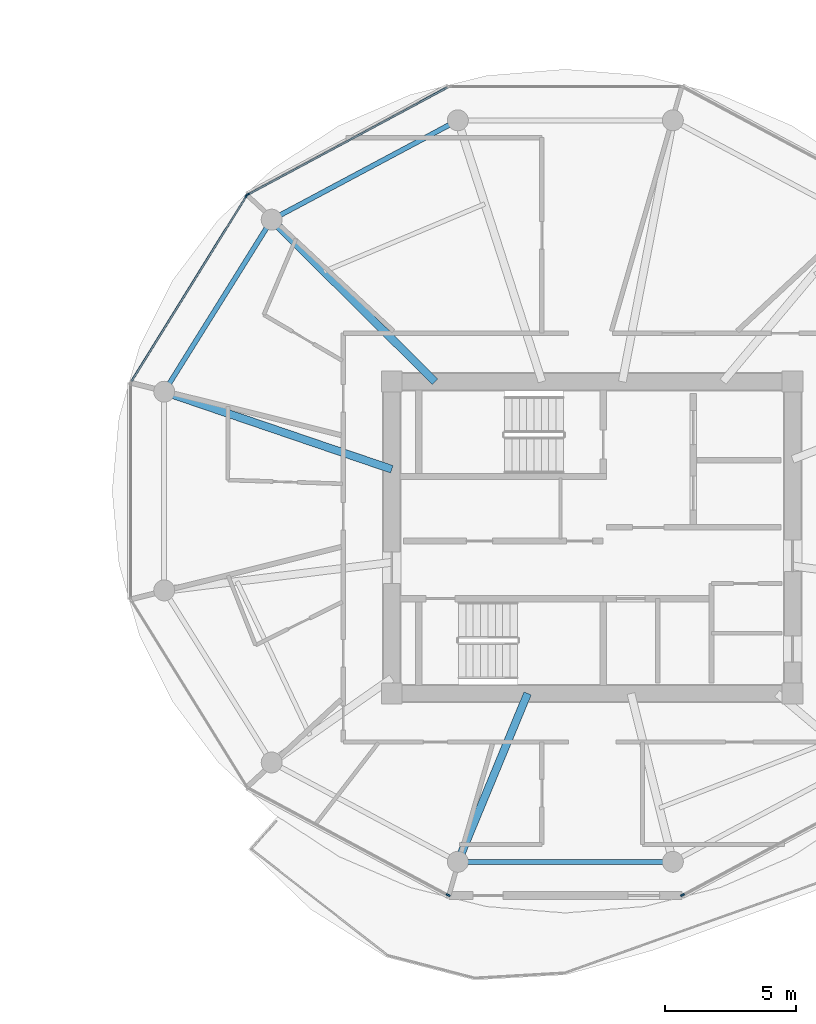
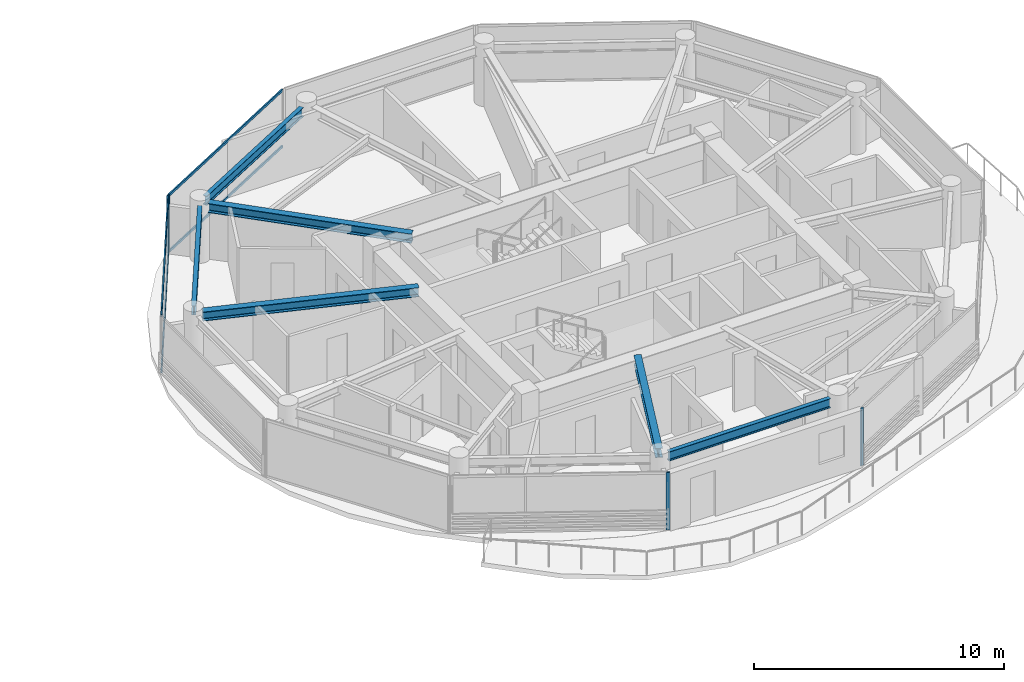
# One storey, part 8 of 22: 8 members, 6 beams, 4 elements without a shape of their own.
"""IFC4 building model written with IfcOpenShell, lengths in metres."""

from ifc_helpers import new_model, si_unit, direction, frame, origin, origin_2d, place, context, subcontext, project, spatial, rectangle, i_section, extrude, source, transform, mapped, material, layer, layer_set, material_profile, profile_set, type_object, type_shapes, element, aggregate, save


model = new_model("IFC4")

# Units and contexts
model_context = context("Model", 3, precision=1e-05, world=origin(), true_north=direction((0.0, 1.0)))
body_context = subcontext(model_context, "Body", "Model", "MODEL_VIEW")
ifc_project = project(units=[si_unit("LENGTHUNIT", "METRE"), si_unit("AREAUNIT", "SQUARE_METRE"), si_unit("VOLUMEUNIT", "CUBIC_METRE"), si_unit("PLANEANGLEUNIT", "RADIAN"), si_unit("MASSUNIT", "GRAM", prefix="KILO")], contexts=[model_context])

# Site, building, storey
site_placement = place(None, origin())
site = spatial("IfcSite", under=ifc_project, at=site_placement, CompositionType="ELEMENT")
building_placement = place(site_placement, origin())
building = spatial("IfcBuilding", under=site, at=building_placement, Name="Norrkilde Senior Care Towers", CompositionType="ELEMENT")
storey_placement = place(building_placement, frame((0.0, 0.0, 152.60009765625)))
storey = spatial("IfcBuildingStorey", under=building, at=storey_placement, Name="L47", CompositionType="ELEMENT", Elevation=152.60009765625)

# Beams
ifc_material_1 = material(Name="Steel S355", Category="steel")
ifc_material_profile_1 = material_profile(ifc_material_1, i_section(OverallWidth=0.18994140625, OverallDepth=0.449951171875, WebThickness=0.009521484375, FlangeThickness=0.0146484375, FilletRadius=0.02099609375, at=origin_2d()), Name="IPE 450")
ifc_profile_set_1 = profile_set([ifc_material_profile_1], Name="Steel S355")
beam_type_1 = type_object("IfcBeamType", Name="Perimeter Ring Spandrel Z3 IPE450", PredefinedType="SPANDREL", material=ifc_profile_set_1)
shared_shape_1 = source(origin(), body_context, "Body", "SweptSolid", [
    extrude(i_section(OverallWidth=0.18994140625, OverallDepth=0.449951171875, WebThickness=0.009521484375, FlangeThickness=0.0146484375, FilletRadius=0.02099609375, at=origin_2d()), origin(), (0.0, 0.0, 1.0), 7.0234375),
])
beam_1_placement = place(storey_placement, frame((15.57666015625, 11.8291015625, 2.5849609375), z_axis=(-0.529789577822, -0.848129119433, 0.0), x_axis=(0.848129119433, -0.529789577822, 0.0)))
element("IfcBeam", 1, at=beam_1_placement, inside=storey, type_object=beam_type_1, Name="L47 Drum E Perimeter Spandrel 05", PredefinedType="SPANDREL", context=body_context, shape_type="MappedRepresentation", body=[
    mapped(shared_shape_1, transform((0.0, 0.0, 0.0), x_axis=(1.0, 0.0, 0.0), y_axis=(0.0, 1.0, 0.0), z_axis=(0.0, 0.0, 1.0), scale=1.0)),
])
ifc_material_profile_2 = material_profile(ifc_material_1, i_section(OverallWidth=0.300048828125, OverallDepth=0.449951171875, WebThickness=0.013916015625, FlangeThickness=0.02587890625, FilletRadius=0.027099609375, at=origin_2d()), Name="HEB 450")
ifc_profile_set_2 = profile_set([ifc_material_profile_2], Name="Steel S355")
beam_type_2 = type_object("IfcBeamType", Name="Radial Floor Beam Z3 HEB450", PredefinedType="BEAM", material=ifc_profile_set_2)
shared_shape_2 = source(origin(), body_context, "Body", "SweptSolid", [
    extrude(i_section(OverallWidth=0.300048828125, OverallDepth=0.449951171875, WebThickness=0.013916015625, FlangeThickness=0.02587890625, FilletRadius=0.027099609375, at=origin_2d()), origin(), (0.0, 0.0, 1.0), 8.8154296875),
])
beam_2_placement = place(storey_placement, frame((20.35009765625, 2.607177734375, 2.5849609375), z_axis=(-0.946540556878, 0.322584832539, 0.0), x_axis=(-0.322584832539, -0.946540556878, 0.0)))
element("IfcBeam", 2, at=beam_2_placement, inside=storey, type_object=beam_type_2, Name="L47 Drum E Radial Floor Beam 06", PredefinedType="BEAM", context=body_context, shape_type="MappedRepresentation", body=[
    mapped(shared_shape_2, transform((0.0, 0.0, 0.0), x_axis=(1.0, 0.0, 0.0), y_axis=(0.0, 1.0, 0.0), z_axis=(0.0, 0.0, 1.0), scale=1.0)),
])
shared_shape_3 = source(origin(), body_context, "Body", "SweptSolid", [
    extrude(i_section(OverallWidth=0.18994140625, OverallDepth=0.449951171875, WebThickness=0.009521484375, FlangeThickness=0.0146484375, FilletRadius=0.02099609375, at=origin_2d()), origin(), (0.0, 0.0, 1.0), 7.333740234375),
])
beam_3_placement = place(storey_placement, frame((22.55517578125, 15.756591796875, 2.5849609375), z_axis=(-0.882247866069, -0.470785198172, 0.0), x_axis=(0.470785198172, -0.882247866069, 0.0)))
element("IfcBeam", 3, at=beam_3_placement, inside=storey, type_object=beam_type_1, Name="L47 Drum E Perimeter Spandrel 04", PredefinedType="SPANDREL", context=body_context, shape_type="MappedRepresentation", body=[
    mapped(shared_shape_3, transform((0.0, 0.0, 0.0), x_axis=(1.0, 0.0, 0.0), y_axis=(0.0, 1.0, 0.0), z_axis=(0.0, 0.0, 1.0), scale=1.0)),
])
shared_shape_4 = source(origin(), body_context, "Body", "SweptSolid", [
    extrude(i_section(OverallWidth=0.300048828125, OverallDepth=0.449951171875, WebThickness=0.013916015625, FlangeThickness=0.02587890625, FilletRadius=0.027099609375, at=origin_2d()), origin(), (0.0, 0.0, 1.0), 8.421630859375),
])
beam_4_placement = place(storey_placement, frame((22.001953125, 5.949951171875, 2.5849609375), z_axis=(-0.709956495972, 0.704245535184, 0.0), x_axis=(-0.704245535184, -0.709956495972, 0.0)))
element("IfcBeam", 4, at=beam_4_placement, inside=storey, type_object=beam_type_2, Name="L47 Drum E Radial Floor Beam 05", PredefinedType="BEAM", context=body_context, shape_type="MappedRepresentation", body=[
    mapped(shared_shape_4, transform((0.0, 0.0, 0.0), x_axis=(1.0, 0.0, 0.0), y_axis=(0.0, 1.0, 0.0), z_axis=(0.0, 0.0, 1.0), scale=1.0)),
])
shared_shape_5 = source(origin(), body_context, "Body", "SweptSolid", [
    extrude(i_section(OverallWidth=0.18994140625, OverallDepth=0.449951171875, WebThickness=0.009521484375, FlangeThickness=0.0146484375, FilletRadius=0.02099609375, at=origin_2d()), origin(), (0.0, 0.0, 1.0), 7.484619140625),
])
type_shapes(beam_type_1, [shared_shape_1, shared_shape_3, shared_shape_5])
beam_5_placement = place(storey_placement, frame((23.232666015625, -12.37548828125, 2.5849609375), z_axis=(1.0, 0.0, 0.0), x_axis=(0.0, 1.0, 0.0)))
element("IfcBeam", 5, at=beam_5_placement, inside=storey, type_object=beam_type_1, Name="L47 Drum E Perimeter Spandrel 09", PredefinedType="SPANDREL", context=body_context, shape_type="MappedRepresentation", body=[
    mapped(shared_shape_5, transform((0.0, 0.0, 0.0), x_axis=(1.0, 0.0, 0.0), y_axis=(0.0, 1.0, 0.0), z_axis=(0.0, 0.0, 1.0), scale=1.0)),
])
shared_shape_6 = source(origin(), body_context, "Body", "SweptSolid", [
    extrude(i_section(OverallWidth=0.300048828125, OverallDepth=0.449951171875, WebThickness=0.013916015625, FlangeThickness=0.02587890625, FilletRadius=0.027099609375, at=origin_2d()), origin(), (0.0, 0.0, 1.0), 6.59521484375),
])
type_shapes(beam_type_2, [shared_shape_2, shared_shape_4, shared_shape_6])
beam_6_placement = place(storey_placement, frame((25.534912109375, -5.949951171875, 2.5849609375), z_axis=(-0.382761541363, -0.923847174836, 0.0), x_axis=(0.923847174836, -0.382761541363, 0.0)))
element("IfcBeam", 6, at=beam_6_placement, inside=storey, type_object=beam_type_2, Name="L47 Drum E Radial Floor Beam 09", PredefinedType="BEAM", context=body_context, shape_type="MappedRepresentation", body=[
    mapped(shared_shape_6, transform((0.0, 0.0, 0.0), x_axis=(1.0, 0.0, 0.0), y_axis=(0.0, 1.0, 0.0), z_axis=(0.0, 0.0, 1.0), scale=1.0)),
])

# Curtain wall, members
ifc_material_2 = material(Name="Triple Low-E Insulated Glazing", Category="glass")
ifc_layer = layer(ifc_material_2, 0.18994140625)
ifc_layer_set = layer_set([ifc_layer], Name="Triple Low-E Insulated Glazing")
curtain_wall_type = type_object("IfcCurtainWallType", Name="CW4 Zone 3 Senior Residence Curtain Wall", PredefinedType="NOTDEFINED", material=ifc_layer_set)
curtain_wall_1_placement = place(storey_placement, origin())
curtain_wall_1 = element("IfcCurtainWall", 7, at=curtain_wall_1_placement, inside=storey, type_object=curtain_wall_type, Name="L47 Drum E Curtain Wall 04", PredefinedType="NOTDEFINED")
ifc_material_3 = material(Name="Anodised Aluminium", Category="aluminium")
ifc_material_profile_3 = material_profile(ifc_material_3, rectangle(XDim=0.06005859375, YDim=0.1201171875, at=origin_2d()), Name="ALU TRAN 60x120")
ifc_profile_set_3 = profile_set([ifc_material_profile_3], Name="Anodised Aluminium")
member_type_1 = type_object("IfcMemberType", Name="Curtain Wall Transom Typical 60x120", PredefinedType="USERDEFINED", material=ifc_profile_set_3)
shared_shape_7 = source(origin(), body_context, "Body", "SweptSolid", [
    extrude(rectangle(XDim=0.06005859375, YDim=0.1201171875, at=origin_2d()), origin(), (0.0, 0.0, 1.0), 8.301513671875),
])
member_1_placement = place(storey_placement, frame((10.414794921875, 5.966552734375, 0.02978515625), z_axis=(0.527368718394, 0.849636531029, 0.0), x_axis=(-0.849636531029, 0.527368718394, 0.0)))
member_1 = element("IfcMember", 8, at=member_1_placement, type_object=member_type_1, Name="CW-4 transom 1.1", ObjectType="TRANSOM", PredefinedType="USERDEFINED", context=body_context, shape_type="MappedRepresentation", body=[
    mapped(shared_shape_7, transform((0.0, 0.0, 0.0), x_axis=(1.0, 0.0, 0.0), y_axis=(0.0, 1.0, 0.0), z_axis=(0.0, 0.0, 1.0), scale=1.0)),
])
member_2_placement = place(storey_placement, frame((10.414794921875, 5.966552734375, 2.77978515625), z_axis=(0.527368718394, 0.849636531029, 0.0), x_axis=(-0.849636531029, 0.527368718394, 0.0)))
member_2 = element("IfcMember", 9, at=member_2_placement, type_object=member_type_1, Name="CW-4 transom 1.2", ObjectType="TRANSOM", PredefinedType="USERDEFINED", context=body_context, shape_type="MappedRepresentation", body=[
    mapped(shared_shape_7, transform((0.0, 0.0, 0.0), x_axis=(1.0, 0.0, 0.0), y_axis=(0.0, 1.0, 0.0), z_axis=(0.0, 0.0, 1.0), scale=1.0)),
])

curtain_wall_2_placement = place(storey_placement, origin())
curtain_wall_2 = element("IfcCurtainWall", 10, at=curtain_wall_2_placement, inside=storey, type_object=curtain_wall_type, Name="L47 Drum E Curtain Wall 03", PredefinedType="NOTDEFINED")
shared_shape_8 = source(origin(), body_context, "Body", "SweptSolid", [
    extrude(rectangle(XDim=0.06005859375, YDim=0.1201171875, at=origin_2d()), origin(), (0.0, 0.0, 1.0), 8.61181640625),
])
type_shapes(member_type_1, [shared_shape_7, shared_shape_8])
member_3_placement = place(storey_placement, frame((14.88427734375, 13.105712890625, 0.02978515625), z_axis=(0.880993991641, 0.473127452906, 0.0), x_axis=(-0.473127452906, 0.880993991641, 0.0)))
member_3 = element("IfcMember", 11, at=member_3_placement, type_object=member_type_1, Name="CW-4 transom 1.1", ObjectType="TRANSOM", PredefinedType="USERDEFINED", context=body_context, shape_type="MappedRepresentation", body=[
    mapped(shared_shape_8, transform((0.0, 0.0, 0.0), x_axis=(1.0, 0.0, 0.0), y_axis=(0.0, 1.0, 0.0), z_axis=(0.0, 0.0, 1.0), scale=1.0)),
])
member_4_placement = place(storey_placement, frame((14.88427734375, 13.105712890625, 2.77978515625), z_axis=(0.880993991641, 0.473127452906, 0.0), x_axis=(-0.473127452906, 0.880993991641, 0.0)))
member_4 = element("IfcMember", 12, at=member_4_placement, type_object=member_type_1, Name="CW-4 transom 1.2", ObjectType="TRANSOM", PredefinedType="USERDEFINED", context=body_context, shape_type="MappedRepresentation", body=[
    mapped(shared_shape_8, transform((0.0, 0.0, 0.0), x_axis=(1.0, 0.0, 0.0), y_axis=(0.0, 1.0, 0.0), z_axis=(0.0, 0.0, 1.0), scale=1.0)),
])
ifc_material_profile_4 = material_profile(ifc_material_3, rectangle(XDim=0.06494140625, YDim=0.14990234375, at=origin_2d()), Name="ALU MULL 65x150")
ifc_profile_set_4 = profile_set([ifc_material_profile_4], Name="Anodised Aluminium")
member_type_2 = type_object("IfcMemberType", Name="Curtain Wall Mullion Z3-Z4 65x150", PredefinedType="MULLION", material=ifc_profile_set_4)
shared_shape_9 = source(origin(), body_context, "Body", "SweptSolid", [
    extrude(rectangle(XDim=0.06494140625, YDim=0.14990234375, at=origin_2d()), origin(), (0.0, 0.0, 1.0), 2.809814453125),
])
type_shapes(member_type_2, [shared_shape_9])
member_5_placement = place(storey_placement, frame((14.85546875, 13.09033203125, 0.0), z_axis=(0.0, 0.0, 1.0), x_axis=(-0.47311715104, 0.880999524059, 0.0)))
member_5 = element("IfcMember", 13, at=member_5_placement, type_object=member_type_2, Name="CW-4 mullion 1", PredefinedType="MULLION", context=body_context, shape_type="MappedRepresentation", body=[
    mapped(shared_shape_9, transform((0.0, 0.0, 0.0), x_axis=(1.0, 0.0, 0.0), y_axis=(0.0, 1.0, 0.0), z_axis=(0.0, 0.0, 1.0), scale=1.0)),
])
aggregate(curtain_wall_2, [member_5, member_3, member_4])

# Member
member_6_placement = place(storey_placement, frame((14.809814453125, 13.04736328125, 0.0), z_axis=(0.0, 0.0, 1.0), x_axis=(-0.84963405474, 0.52737270789, 0.0)))
member_6 = element("IfcMember", 14, at=member_6_placement, type_object=member_type_2, Name="CW-4 mullion 2", PredefinedType="MULLION", context=body_context, shape_type="MappedRepresentation", body=[
    mapped(shared_shape_9, transform((0.0, 0.0, 0.0), x_axis=(1.0, 0.0, 0.0), y_axis=(0.0, 1.0, 0.0), z_axis=(0.0, 0.0, 1.0), scale=1.0)),
])

aggregate(curtain_wall_1, [member_6, member_1, member_2])

# Curtain wall, member
curtain_wall_3_placement = place(storey_placement, origin())
curtain_wall_3 = element("IfcCurtainWall", 15, at=curtain_wall_3_placement, inside=storey, type_object=curtain_wall_type, Name="L47 Drum E Curtain Wall 07", PredefinedType="NOTDEFINED")
member_7_placement = place(storey_placement, frame((22.499755859375, -13.644775390625, 0.0), z_axis=(0.0, 0.0, 1.0), x_axis=(-0.47311715104, -0.880999524059, 0.0)))
member_7 = element("IfcMember", 16, at=member_7_placement, type_object=member_type_2, Name="CW-4 mullion 1", PredefinedType="MULLION", context=body_context, shape_type="MappedRepresentation", body=[
    mapped(shared_shape_9, transform((0.0, 0.0, 0.0), x_axis=(1.0, 0.0, 0.0), y_axis=(0.0, 1.0, 0.0), z_axis=(0.0, 0.0, 1.0), scale=1.0)),
])
aggregate(curtain_wall_3, [member_7])

curtain_wall_4_placement = place(storey_placement, origin())
curtain_wall_4 = element("IfcCurtainWall", 17, at=curtain_wall_4_placement, inside=storey, type_object=curtain_wall_type, Name="L47 Drum E Curtain Wall 09", PredefinedType="NOTDEFINED")
member_8_placement = place(storey_placement, frame((31.4501953125, -13.644775390625, 0.0), z_axis=(0.0, 0.0, 1.0), x_axis=(0.47311715104, -0.880999524059, 0.0)))
member_8 = element("IfcMember", 18, at=member_8_placement, type_object=member_type_2, Name="CW-4 mullion 2", PredefinedType="MULLION", context=body_context, shape_type="MappedRepresentation", body=[
    mapped(shared_shape_9, transform((0.0, 0.0, 0.0), x_axis=(1.0, 0.0, 0.0), y_axis=(0.0, 1.0, 0.0), z_axis=(0.0, 0.0, 1.0), scale=1.0)),
])
aggregate(curtain_wall_4, [member_8])

save(model, "model.ifc")
